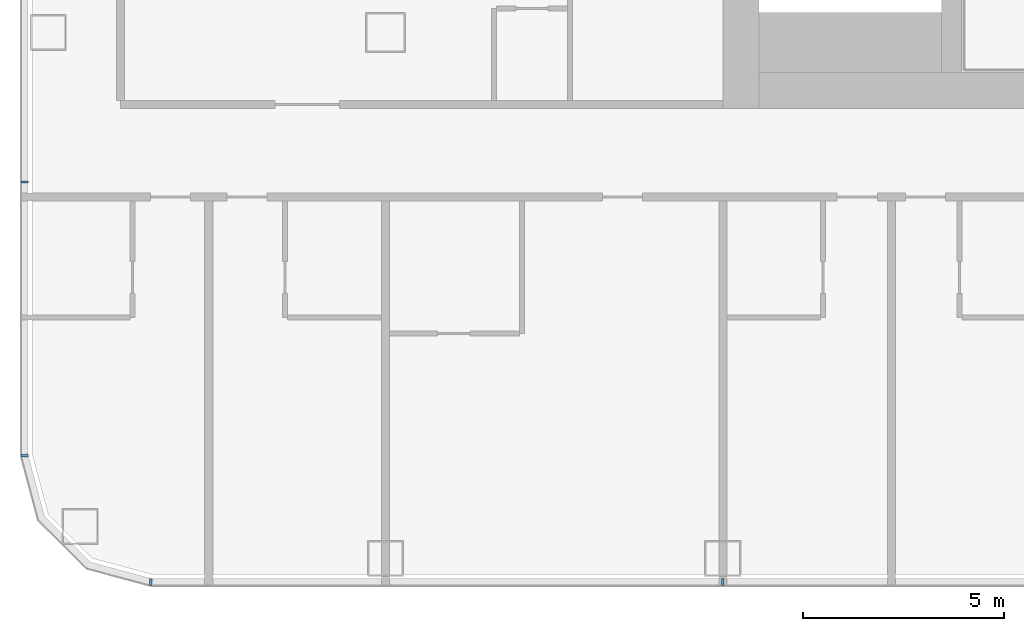
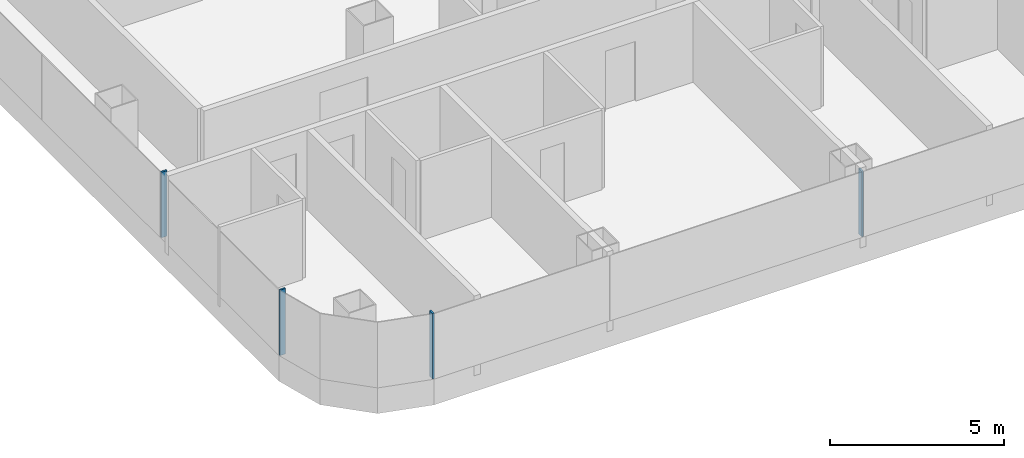
# One storey, part 2 of 29: 4 members, 2 elements without a shape of their own.
"""IFC4 building model written with IfcOpenShell, lengths in metres."""

from ifc_helpers import new_model, si_unit, direction, frame, origin, origin_2d, place, context, subcontext, project, spatial, rectangle, extrude, material, layer, layer_set, material_profile, profile_set, type_object, element, aggregate, save


model = new_model("IFC4")

# Units and contexts
model_context = context("Model", 3, precision=1e-05, world=origin(), true_north=direction((0.0, 1.0)))
body_context = subcontext(model_context, "Body", "Model", "MODEL_VIEW")
ifc_project = project(units=[si_unit("LENGTHUNIT", "METRE"), si_unit("AREAUNIT", "SQUARE_METRE"), si_unit("VOLUMEUNIT", "CUBIC_METRE"), si_unit("PLANEANGLEUNIT", "RADIAN"), si_unit("MASSUNIT", "GRAM", prefix="KILO")], contexts=[model_context])

# Site, building, storey
site_placement = place(None, origin())
site = spatial("IfcSite", under=ifc_project, at=site_placement, CompositionType="ELEMENT")
building_placement = place(site_placement, origin())
building = spatial("IfcBuilding", under=site, at=building_placement, Name="Hakoniwa Tower and Hamabe Station Hall", CompositionType="ELEMENT")
storey_placement = place(building_placement, frame((0.0, 0.0, 45.39990234375)))
storey = spatial("IfcBuildingStorey", under=building, at=storey_placement, Name="L12", CompositionType="ELEMENT", Elevation=45.39990234375)

# Curtain wall, members
ifc_material_1 = material(Name="Dark low-e laminated glass", Category="glass")
ifc_layer = layer(ifc_material_1, 0.199951171875)
ifc_layer_set = layer_set([ifc_layer], Name="CW-1 UNITISED GUEST")
curtain_wall_type = type_object("IfcCurtainWallType", Name="CW-1 UNITISED GUEST", PredefinedType="NOTDEFINED", material=ifc_layer_set)
curtain_wall_1_placement = place(storey_placement, origin())
curtain_wall_1 = element("IfcCurtainWall", 1, at=curtain_wall_1_placement, inside=storey, type_object=curtain_wall_type, Name="CW-1 curtain wall", PredefinedType="NOTDEFINED")
ifc_material_2 = material(Name="Aluminium 6063-T5 black anodised", Category="aluminium")
ifc_material_profile = material_profile(ifc_material_2, rectangle(XDim=0.06005859375, YDim=0.179931640625, at=origin_2d()), Name="CW-1 MULLION 60X180")
ifc_profile_set = profile_set([ifc_material_profile], Name="Aluminium 6063-T5 black anodised")
member_type = type_object("IfcMemberType", Name="CW-1 MULLION 60X180", PredefinedType="MULLION", material=ifc_profile_set)
member_1_placement = place(storey_placement, frame((-50.98193359375, -10.2236328125, 0.35009765625), z_axis=(0.0, 0.0, 1.0), x_axis=(0.0, -1.0, 0.0)))
member_1 = element("IfcMember", 2, at=member_1_placement, type_object=member_type, Name="CW-1 mullion", PredefinedType="MULLION", context=body_context, shape_type="SweptSolid", body=[
    extrude(rectangle(XDim=0.06005859375, YDim=0.179931640625, at=origin_2d()), origin(), (0.0, 0.0, 1.0), 2.300048828125),
])
member_2_placement = place(storey_placement, frame((-50.98193359375, -17.03955078125, 0.35009765625), z_axis=(0.0, 0.0, 1.0), x_axis=(0.0, -1.0, 0.0)))
member_2 = element("IfcMember", 3, at=member_2_placement, type_object=member_type, Name="CW-1 mullion", PredefinedType="MULLION", context=body_context, shape_type="SweptSolid", body=[
    extrude(rectangle(XDim=0.06005859375, YDim=0.179931640625, at=origin_2d()), origin(), (0.0, 0.0, 1.0), 2.300048828125),
])
aggregate(curtain_wall_1, [member_1, member_2])

curtain_wall_2_placement = place(storey_placement, origin())
curtain_wall_2 = element("IfcCurtainWall", 4, at=curtain_wall_2_placement, inside=storey, type_object=curtain_wall_type, Name="CW-1 curtain wall", PredefinedType="NOTDEFINED")
member_3_placement = place(storey_placement, frame((-47.839599609375, -20.181884765625, 0.35009765625), z_axis=(0.0, 0.0, 1.0), x_axis=(1.0, 0.0, 0.0)))
member_3 = element("IfcMember", 5, at=member_3_placement, type_object=member_type, Name="CW-1 mullion", PredefinedType="MULLION", context=body_context, shape_type="SweptSolid", body=[
    extrude(rectangle(XDim=0.06005859375, YDim=0.179931640625, at=origin_2d()), origin(), (0.0, 0.0, 1.0), 2.300048828125),
])
member_4_placement = place(storey_placement, frame((-33.60009765625, -20.181884765625, 0.35009765625), z_axis=(0.0, 0.0, 1.0), x_axis=(1.0, 0.0, 0.0)))
member_4 = element("IfcMember", 6, at=member_4_placement, type_object=member_type, Name="CW-1 mullion", PredefinedType="MULLION", context=body_context, shape_type="SweptSolid", body=[
    extrude(rectangle(XDim=0.06005859375, YDim=0.179931640625, at=origin_2d()), origin(), (0.0, 0.0, 1.0), 2.300048828125),
])
aggregate(curtain_wall_2, [member_3, member_4])

save(model, "model.ifc")
